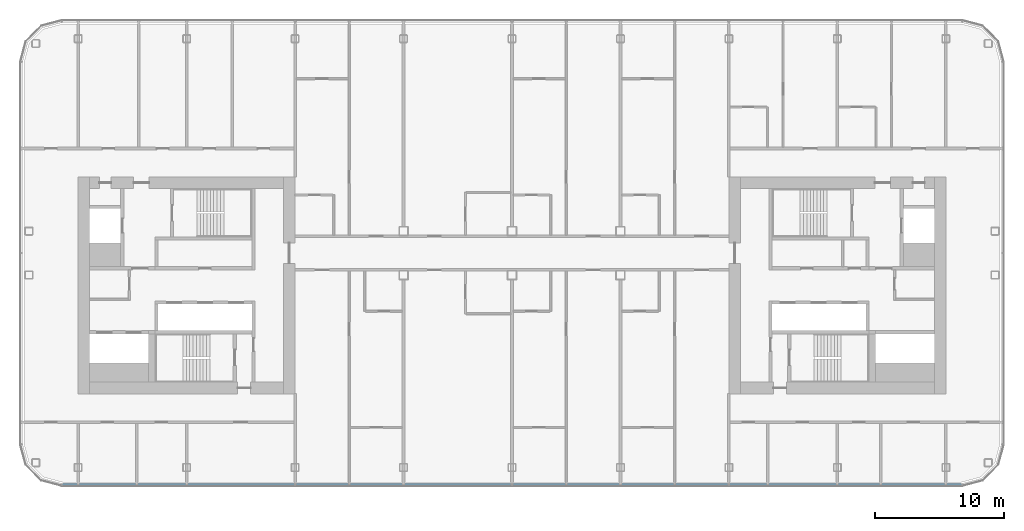
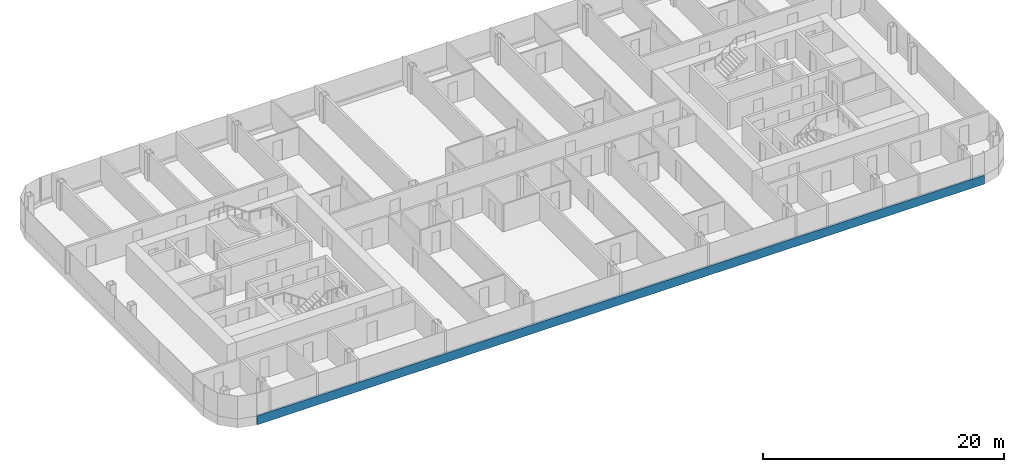
# One storey, part 4 of 26: 1 member, 1 element without a shape of its own.
"""IFC4 building model written with IfcOpenShell, lengths in metres."""

import ifcopenshell
import ifcopenshell.guid

model = None  # the IFC model being written
_history = None  # IfcOwnerHistory: only IFC2X3 demands one
_inside = {}  # id of a spatial element -> (the spatial element, [elements in it])
_under = {}  # id of a project, library or spatial element -> (it, [spatial elements below it])
_declared = {}  # id of a project -> (the project, [libraries it declares])
_typed = {}  # id of a type object -> (the type object, [elements of that type])
_made_of = {}  # id of a material, layer set ... -> (it, [elements and type objects made of it])


def new_model(schema):
    """Start an empty IFC model of exactly this schema.

    Asked for "IFC4X3", IfcOpenShell would pick the latest addendum, in which some entities
    have other attributes; the version numbers below select the first issue.
    IFC2X3 requires an IfcOwnerHistory on every rooted entity: one is made here for all.
    """
    global model, _history
    if schema == "IFC4X3":
        model = ifcopenshell.file(schema_version=(4, 3, 0, 0))
    else:
        model = ifcopenshell.file(schema=schema)
    _inside.clear()
    _under.clear()
    _declared.clear()
    _typed.clear()
    _made_of.clear()
    _history = None
    if model.schema == "IFC2X3":
        org = make("IfcOrganization", Name="unknown")
        user = make(
            "IfcPersonAndOrganization",
            ThePerson=make("IfcPerson", FamilyName="unknown"),
            TheOrganization=org,
        )
        app = make(
            "IfcApplication",
            ApplicationDeveloper=org,
            Version="unknown",
            ApplicationFullName="unknown",
            ApplicationIdentifier="unknown",
        )
        _history = make(
            "IfcOwnerHistory",
            OwningUser=user,
            OwningApplication=app,
            ChangeAction="ADDED",
            CreationDate=0,
        )
    return model


def make(cls, **values):
    """One entity of the class cls with the attributes given. An attribute that is None is left unset."""
    return model.create_entity(
        cls, **{name: value for name, value in values.items() if value is not None}
    )


def rooted(cls, **values):
    """An entity with a GlobalId (a new one), such as an element, a storey or a relation."""
    return make(cls, GlobalId=ifcopenshell.guid.new(), OwnerHistory=_history, **values)


def si_unit(unit_type, name, prefix=None):
    """IfcSIUnit, for example si_unit("LENGTHUNIT", "METRE", prefix="MILLI")."""
    return make("IfcSIUnit", UnitType=unit_type, Prefix=prefix, Name=name)


def assignment(units):
    """IfcUnitAssignment: the units of a project."""
    return None if units is None else make("IfcUnitAssignment", Units=units)


def point(xyz):
    """IfcCartesianPoint."""
    return None if xyz is None else make("IfcCartesianPoint", Coordinates=xyz)


def direction(xyz):
    """IfcDirection."""
    return None if xyz is None else make("IfcDirection", DirectionRatios=xyz)


def frame(location, z_axis=None, x_axis=None):
    """IfcAxis2Placement3D, a coordinate frame: its origin and axes. An axis left out is left unset."""
    return make(
        "IfcAxis2Placement3D",
        Location=point(location),
        Axis=direction(z_axis),
        RefDirection=direction(x_axis),
    )


def frame_2d(location, x_axis=None):
    """IfcAxis2Placement2D, a coordinate frame in the plane: its origin and x axis."""
    return make(
        "IfcAxis2Placement2D", Location=point(location), RefDirection=direction(x_axis)
    )


def origin():
    """The frame at (0, 0, 0) with its axes left unset."""
    return frame((0.0, 0.0, 0.0))


def origin_2d():
    """The frame at (0, 0) in the plane with its x axis left unset."""
    return frame_2d((0.0, 0.0))


def place(relative_to, where):
    """IfcLocalPlacement: puts the frame where relative to a parent placement (None: the world)."""
    return make(
        "IfcLocalPlacement", PlacementRelTo=relative_to, RelativePlacement=where
    )


def context(
    kind, dimensions, precision=None, world=None, true_north=None, identifier=None
):
    """IfcGeometricRepresentationContext, for example the 3D "Model" context."""
    return make(
        "IfcGeometricRepresentationContext",
        ContextIdentifier=identifier,
        ContextType=kind,
        CoordinateSpaceDimension=dimensions,
        Precision=precision,
        WorldCoordinateSystem=world,
        TrueNorth=true_north,
    )


def subcontext(parent, identifier, kind, view, scale=None):
    """IfcGeometricRepresentationSubContext, for example "Body" below "Model"."""
    return make(
        "IfcGeometricRepresentationSubContext",
        ContextIdentifier=identifier,
        ContextType=kind,
        ParentContext=parent,
        TargetScale=scale,
        TargetView=view,
    )


def project(units=None, contexts=None):
    """IfcProject with its units and contexts."""
    return rooted(
        "IfcProject",
        Name="project",
        RepresentationContexts=contexts,
        UnitsInContext=assignment(units),
    )


def spatial(cls, under=None, at=None, **own):
    """A site, building, storey or space (cls), placed at a placement, below another one or the project."""
    s = rooted(cls, ObjectPlacement=at, **own)
    if under is not None:
        _under.setdefault(under.id(), (under, []))[1].append(s)
    return s


def profile(cls, at=None, kind="AREA", **sizes):
    """A parametric profile (cls). Its sizes go by their IFC names, for example OverallWidth=200.0."""
    return make(cls, ProfileType=kind, Position=at, **sizes)


def rectangle(**sizes):
    """IfcRectangleProfileDef."""
    return profile("IfcRectangleProfileDef", **sizes)


def extrude(swept, where, along, depth):
    """IfcExtrudedAreaSolid: the profile swept, set in the frame where, extruded along a direction by depth."""
    return make(
        "IfcExtrudedAreaSolid",
        SweptArea=swept,
        Position=where,
        ExtrudedDirection=direction(along),
        Depth=depth,
    )


def shape(context_of_items, identifier, shape_type, items):
    """IfcShapeRepresentation: the items that make up one representation, for example the "Body"."""
    return make(
        "IfcShapeRepresentation",
        ContextOfItems=context_of_items,
        RepresentationIdentifier=identifier,
        RepresentationType=shape_type,
        Items=items,
    )


def material(Name=None, Category=None):
    """IfcMaterial."""
    return make("IfcMaterial", Name=Name, Category=Category)


def layer(
    of_material, thickness, ventilated=None, Name=None, Category=None, Priority=None
):
    """IfcMaterialLayer: one layer of a wall or slab, of a material (None: an air gap)."""
    return make(
        "IfcMaterialLayer",
        Material=of_material,
        LayerThickness=thickness,
        IsVentilated=ventilated,
        Name=Name,
        Category=Category,
        Priority=Priority,
    )


def layer_set(layers, Name=None):
    """IfcMaterialLayerSet."""
    return make("IfcMaterialLayerSet", MaterialLayers=layers, LayerSetName=Name)


def material_profile(
    of_material, cross_section, Name=None, Category=None, Priority=None
):
    """IfcMaterialProfile: a cross section and its material."""
    return make(
        "IfcMaterialProfile",
        Name=Name,
        Material=of_material,
        Profile=cross_section,
        Priority=Priority,
        Category=Category,
    )


def profile_set(profiles, Name=None, composite=None):
    """IfcMaterialProfileSet."""
    return make(
        "IfcMaterialProfileSet",
        Name=Name,
        MaterialProfiles=profiles,
        CompositeProfile=composite,
    )


def made_of(thing, what):
    """Note that an element or type object is made of a material, layer set ...; save() writes the relation."""
    if what is not None:
        _made_of.setdefault(what.id(), (what, []))[1].append(thing)
    return thing


def type_object(cls, material=None, **own):
    """A type object (cls), such as IfcWallType, which elements share."""
    return made_of(rooted(cls, **own), material)


def element(
    cls,
    number,
    at=None,
    inside=None,
    cuts=None,
    type_object=None,
    material=None,
    context=None,
    identifier="Body",
    shape_type=None,
    held_by="IfcProductDefinitionShape",
    body=None,
    shapes=None,
    **own,
):
    """One element of the class cls, such as IfcWall. Its Tag is "e" and its number.

    at: its placement. inside: the storey or other place that contains it. cuts: it is an
    opening in that element (IfcRelVoidsElement). A single representation is given by context,
    identifier, shape_type and body (its items); several are given by shapes. held_by: the class
    of the entity that holds the representations. save() writes the other relations.
    """
    e = rooted(cls, Tag="e%d" % number, ObjectPlacement=at, **own)
    if body is not None:
        shapes = [shape(context, identifier, shape_type, body)]
    if shapes is not None:
        e.Representation = make(held_by, Representations=shapes)
    if inside is not None:
        _inside.setdefault(inside.id(), (inside, []))[1].append(e)
    if cuts is not None:
        rooted(
            "IfcRelVoidsElement", RelatingBuildingElement=cuts, RelatedOpeningElement=e
        )
    if type_object is not None:
        _typed.setdefault(type_object.id(), (type_object, []))[1].append(e)
    return made_of(e, material)


def aggregate(whole, parts):
    """IfcRelAggregates: a whole, such as a stair, and the parts it consists of."""
    return rooted("IfcRelAggregates", RelatingObject=whole, RelatedObjects=parts)


def save(model, path):
    """Write the relations noted so far, then the file.

    IfcRelAggregates (storeys below a building ...), IfcRelContainedInSpatialStructure (elements
    in a storey), IfcRelDefinesByType, IfcRelAssociatesMaterial and IfcRelDeclares: one each for
    every whole, place, type object, material and project.
    """
    for whole, parts in _under.values():
        aggregate(whole, parts)
    for where, things in _inside.values():
        rooted(
            "IfcRelContainedInSpatialStructure",
            RelatedElements=things,
            RelatingStructure=where,
        )
    for kind, things in _typed.values():
        rooted("IfcRelDefinesByType", RelatedObjects=things, RelatingType=kind)
    for what, things in _made_of.values():
        rooted("IfcRelAssociatesMaterial", RelatedObjects=things, RelatingMaterial=what)
    for by, libraries in _declared.values():
        rooted("IfcRelDeclares", RelatingContext=by, RelatedDefinitions=libraries)
    model.write(path)


model = new_model("IFC4")

# Units and contexts
model_context = context("Model", 3, precision=1e-05, world=origin(), true_north=direction((0.0, 1.0)))
body_context = subcontext(model_context, "Body", "Model", "MODEL_VIEW")
ifc_project = project(units=[si_unit("LENGTHUNIT", "METRE"), si_unit("AREAUNIT", "SQUARE_METRE"), si_unit("VOLUMEUNIT", "CUBIC_METRE"), si_unit("PLANEANGLEUNIT", "RADIAN"), si_unit("MASSUNIT", "GRAM", prefix="KILO")], contexts=[model_context])

# Site, building, storey
site_placement = place(None, origin())
site = spatial("IfcSite", under=ifc_project, at=site_placement, CompositionType="ELEMENT")
building_placement = place(site_placement, origin())
building = spatial("IfcBuilding", under=site, at=building_placement, Name="Hakoniwa Tower and Hamabe Station Hall", CompositionType="ELEMENT")
storey_placement = place(building_placement, frame((0.0, 0.0, 199.39990234375)))
storey = spatial("IfcBuildingStorey", under=building, at=storey_placement, Name="L56", CompositionType="ELEMENT", Elevation=199.39990234375)

# Curtain wall, member
ifc_material_1 = material(Name="Dark low-e laminated glass", Category="glass")
ifc_layer = layer(ifc_material_1, 0.199951171875)
ifc_layer_set = layer_set([ifc_layer], Name="CW-1 UNITISED GUEST")
curtain_wall_type = type_object("IfcCurtainWallType", Name="CW-1 UNITISED GUEST", PredefinedType="NOTDEFINED", material=ifc_layer_set)
curtain_wall_placement = place(storey_placement, origin())
curtain_wall = element("IfcCurtainWall", 1, at=curtain_wall_placement, inside=storey, type_object=curtain_wall_type, Name="CW-1 curtain wall", PredefinedType="NOTDEFINED")
ifc_material_2 = material(Name="Aluminium 6063-T5 black anodised", Category="aluminium")
ifc_material_profile = material_profile(ifc_material_2, rectangle(XDim=0.199951171875, YDim=0.89990234375, at=origin_2d()), Name="CW SLAB-EDGE BAND 900X200")
ifc_profile_set = profile_set([ifc_material_profile], Name="Aluminium 6063-T5 black anodised")
member_type = type_object("IfcMemberType", Name="CW SLAB-EDGE BAND 900X200", PredefinedType="USERDEFINED", material=ifc_profile_set)
member_placement = place(storey_placement, frame((-34.839599609375, -15.449951171875, -0.099853515625), z_axis=(1.0, 0.0, 0.0), x_axis=(0.0, 1.0, 0.0)))
member = element("IfcMember", 2, at=member_placement, type_object=member_type, Name="CW-1 transom", ObjectType="TRANSOM", PredefinedType="USERDEFINED", context=body_context, shape_type="SweptSolid", body=[
    extrude(rectangle(XDim=0.199951171875, YDim=0.89990234375, at=origin_2d()), origin(), (0.0, 0.0, 1.0), 69.67919921875),
])
aggregate(curtain_wall, [member])

save(model, "model.ifc")
